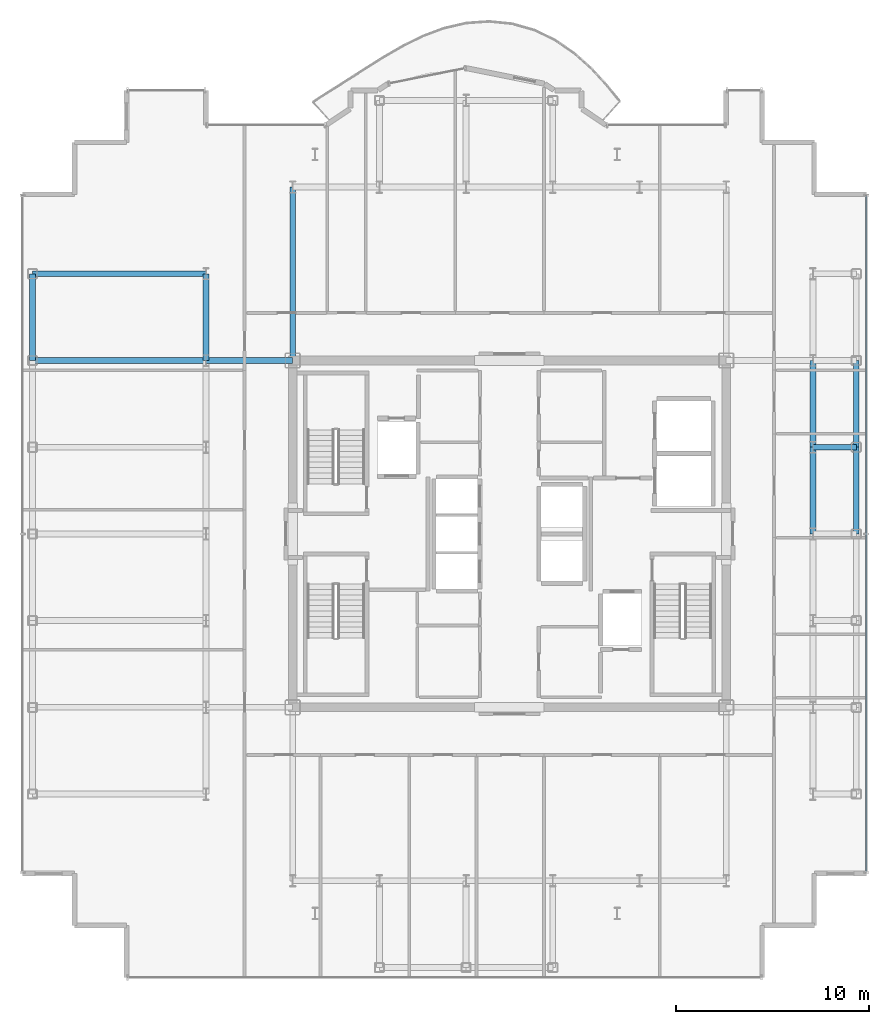
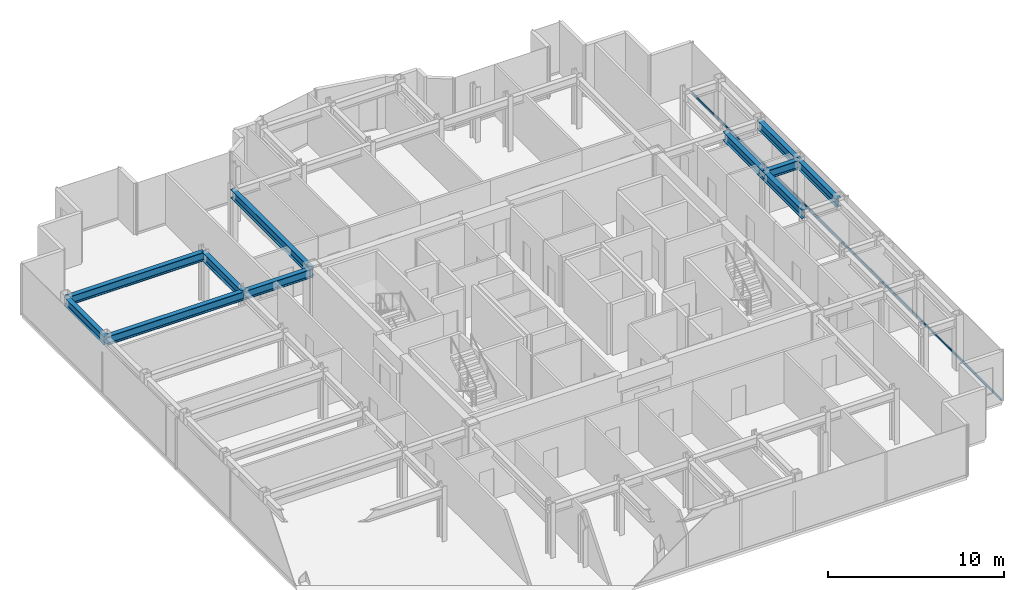
# One storey, part 8 of 18: 11 beams, 1 member, 1 element without a shape of its own.
"""IFC4 building model written with IfcOpenShell, lengths in metres."""

from ifc_helpers import new_model, si_unit, direction, frame, origin, origin_2d, place, context, subcontext, project, spatial, hollow_rectangle, i_section, extrude, source, transform, mapped, material, layer, layer_set, material_profile, profile_set, type_object, element, aggregate, save


model = new_model("IFC4")

# Units and contexts
model_context = context("Model", 3, precision=1e-05, world=origin(), true_north=direction((0.0, 1.0)))
body_context = subcontext(model_context, "Body", "Model", "MODEL_VIEW")
ifc_project = project(units=[si_unit("LENGTHUNIT", "METRE"), si_unit("AREAUNIT", "SQUARE_METRE"), si_unit("VOLUMEUNIT", "CUBIC_METRE"), si_unit("PLANEANGLEUNIT", "RADIAN"), si_unit("MASSUNIT", "GRAM", prefix="KILO")], contexts=[model_context])

# Site, building, storey
site_placement = place(None, origin())
site = spatial("IfcSite", under=ifc_project, at=site_placement, CompositionType="ELEMENT")
building_placement = place(site_placement, origin())
building = spatial("IfcBuilding", under=site, at=building_placement, Name="Nefas-Gora Pilgrimage Tower", CompositionType="ELEMENT")
storey_placement = place(building_placement, frame((0.0, 0.0, 295.0)))
storey = spatial("IfcBuildingStorey", under=building, at=storey_placement, Name="L74", CompositionType="ELEMENT", Elevation=295.0)

# Beams
ifc_material_1 = material(Name="Steel S355", Category="steel")
ifc_material_profile_1 = material_profile(ifc_material_1, i_section(OverallWidth=0.300048828125, OverallDepth=0.60009765625, WebThickness=0.015380859375, FlangeThickness=0.030029296875, FilletRadius=0.027099609375, at=origin_2d()), Name="HEB 600")
ifc_profile_set_1 = profile_set([ifc_material_profile_1], Name="Steel S355")
beam_type_1 = type_object("IfcBeamType", Name="BM-SPN-HEB450", PredefinedType="SPANDREL", material=ifc_profile_set_1)
shared_shape_1 = source(origin(), body_context, "Body", "SweptSolid", [
    extrude(i_section(OverallWidth=0.300048828125, OverallDepth=0.60009765625, WebThickness=0.015380859375, FlangeThickness=0.030029296875, FilletRadius=0.027099609375, at=origin_2d()), origin(), (0.0, 0.0, 1.0), 4.5),
])
for number, where, z_axis, x_axis, name in (
    (1, (-24.75, 9.0, 3.25), (0.0, 1.0, 0.0), (-1.0, 0.0, 0.0), "L74 SP-03 beam"),
    (2, (18.0, 0.0, 3.25), (0.0, 1.0, 0.0), (-1.0, 0.0, 0.0), "L74 SP-03 beam"),
    (3, (18.0, 4.5, 3.25), (0.0, 1.0, 0.0), (-1.0, 0.0, 0.0), "L74 SP-03 beam"),
):
    element("IfcBeam", number, at=place(storey_placement, frame(where, z_axis=z_axis, x_axis=x_axis)), inside=storey, type_object=beam_type_1, Name=name, PredefinedType="SPANDREL", context=body_context, shape_type="MappedRepresentation", body=[
        mapped(shared_shape_1, transform((0.0, 0.0, 0.0), x_axis=(1.0, 0.0, 0.0), y_axis=(0.0, 1.0, 0.0), z_axis=(0.0, 0.0, 1.0), scale=1.0)),
    ])
ifc_material_profile_2 = material_profile(ifc_material_1, i_section(OverallWidth=0.300048828125, OverallDepth=0.60009765625, WebThickness=0.015380859375, FlangeThickness=0.030029296875, FilletRadius=0.027099609375, at=origin_2d()), Name="HEB 600")
ifc_profile_set_2 = profile_set([ifc_material_profile_2], Name="Steel S355")
beam_type_2 = type_object("IfcBeamType", Name="BM-GIR-HEB600", PredefinedType="BEAM", material=ifc_profile_set_2)
shared_shape_2 = source(origin(), body_context, "Body", "SweptSolid", [
    extrude(i_section(OverallWidth=0.300048828125, OverallDepth=0.60009765625, WebThickness=0.015380859375, FlangeThickness=0.030029296875, FilletRadius=0.027099609375, at=origin_2d()), origin(), (0.0, 0.0, 1.0), 9.0),
])
for number, where, z_axis, x_axis, name in (
    (4, (-24.75, 9.0, 3.25), (1.0, 0.0, 0.0), (0.0, 1.0, 0.0), "L74 G-04 beam"),
    (5, (-24.75, 13.5, 3.25), (1.0, 0.0, 0.0), (0.0, 1.0, 0.0), "L74 G-04 beam"),
    (6, (-11.25, 9.0, 3.25), (0.0, 1.0, 0.0), (-1.0, 0.0, 0.0), "L74 G-04 beam"),
):
    element("IfcBeam", number, at=place(storey_placement, frame(where, z_axis=z_axis, x_axis=x_axis)), inside=storey, type_object=beam_type_2, Name=name, PredefinedType="BEAM", context=body_context, shape_type="MappedRepresentation", body=[
        mapped(shared_shape_2, transform((0.0, 0.0, 0.0), x_axis=(1.0, 0.0, 0.0), y_axis=(0.0, 1.0, 0.0), z_axis=(0.0, 0.0, 1.0), scale=1.0)),
    ])
shared_shape_3 = source(origin(), body_context, "Body", "SweptSolid", [
    extrude(i_section(OverallWidth=0.300048828125, OverallDepth=0.60009765625, WebThickness=0.015380859375, FlangeThickness=0.030029296875, FilletRadius=0.027099609375, at=origin_2d()), origin(), (0.0, 0.0, 1.0), 4.5),
])
for number, where, z_axis, x_axis, name in (
    (7, (-15.75, 9.0, 3.25), (0.0, 1.0, 0.0), (-1.0, 0.0, 0.0), "L74 G-04 beam"),
    (8, (-15.75, 9.0, 3.25), (1.0, 0.0, 0.0), (0.0, 1.0, 0.0), "L74 G-04 beam"),
    (9, (15.75, 0.0, 3.25), (0.0, 1.0, 0.0), (-1.0, 0.0, 0.0), "L74 G-04 beam"),
    (10, (15.75, 4.5, 3.25), (0.0, 1.0, 0.0), (-1.0, 0.0, 0.0), "L74 G-04 beam"),
):
    element("IfcBeam", number, at=place(storey_placement, frame(where, z_axis=z_axis, x_axis=x_axis)), inside=storey, type_object=beam_type_2, Name=name, PredefinedType="BEAM", context=body_context, shape_type="MappedRepresentation", body=[
        mapped(shared_shape_3, transform((0.0, 0.0, 0.0), x_axis=(1.0, 0.0, 0.0), y_axis=(0.0, 1.0, 0.0), z_axis=(0.0, 0.0, 1.0), scale=1.0)),
    ])
shared_shape_4 = source(origin(), body_context, "Body", "SweptSolid", [
    extrude(i_section(OverallWidth=0.300048828125, OverallDepth=0.60009765625, WebThickness=0.015380859375, FlangeThickness=0.030029296875, FilletRadius=0.027099609375, at=origin_2d()), origin(), (0.0, 0.0, 1.0), 2.25),
])
beam_placement = place(storey_placement, frame((15.75, 4.5, 3.25), z_axis=(1.0, 0.0, 0.0), x_axis=(0.0, 1.0, 0.0)))
element("IfcBeam", 11, at=beam_placement, inside=storey, type_object=beam_type_2, Name="L74 G-04 beam", PredefinedType="BEAM", context=body_context, shape_type="MappedRepresentation", body=[
    mapped(shared_shape_4, transform((0.0, 0.0, 0.0), x_axis=(1.0, 0.0, 0.0), y_axis=(0.0, 1.0, 0.0), z_axis=(0.0, 0.0, 1.0), scale=1.0)),
])

# Curtain wall, member
ifc_material_2 = material(Name="Dark ceramic-fritted solar-control aluminium-glass curtain wall", Category="aluminium")
ifc_layer = layer(ifc_material_2, 0.219970703125)
ifc_layer_set = layer_set([ifc_layer], Name="Dark ceramic-fritted solar-control aluminium-glass curtain wall")
curtain_wall_type = type_object("IfcCurtainWallType", Name="CW-SYS-4", PredefinedType="NOTDEFINED", material=ifc_layer_set)
curtain_wall_placement = place(storey_placement, origin())
curtain_wall = element("IfcCurtainWall", 12, at=curtain_wall_placement, inside=storey, type_object=curtain_wall_type, Name="L74 Unitised Curtain Wall CW4", PredefinedType="NOTDEFINED")
ifc_material_3 = material(Name="Anodised architectural aluminium", Category="aluminium")
ifc_material_profile_3 = material_profile(ifc_material_3, hollow_rectangle(XDim=0.080078125, YDim=0.159912109375, WallThickness=0.00439453125, InnerFilletRadius=0.00439453125, OuterFilletRadius=0.009033203125, at=origin_2d()), Name="ALU TRANSOM 80x160")
ifc_profile_set_3 = profile_set([ifc_material_profile_3], Name="Anodised architectural aluminium")
member_type = type_object("IfcMemberType", Name="CWM-TRN-4", PredefinedType="USERDEFINED", material=ifc_profile_set_3)
shared_shape_5 = source(origin(), body_context, "Body", "SweptSolid", [
    extrude(hollow_rectangle(XDim=0.080078125, YDim=0.159912109375, WallThickness=0.00439453125, InnerFilletRadius=0.00439453125, OuterFilletRadius=0.009033203125, at=origin_2d()), origin(), (0.0, 0.0, 1.0), 35.06005859375),
])
member_placement = place(storey_placement, frame((18.52001953125, -17.530029296875, 0.050048828125), z_axis=(0.0, 1.0, 0.0), x_axis=(-1.0, 0.0, 0.0)))
member = element("IfcMember", 13, at=member_placement, type_object=member_type, Name="CW4 Spandrel Transom", ObjectType="TRANSOM", PredefinedType="USERDEFINED", context=body_context, shape_type="MappedRepresentation", body=[
    mapped(shared_shape_5, transform((0.0, 0.0, 0.0), x_axis=(1.0, 0.0, 0.0), y_axis=(0.0, 1.0, 0.0), z_axis=(0.0, 0.0, 1.0), scale=1.0)),
])
aggregate(curtain_wall, [member])

save(model, "model.ifc")
